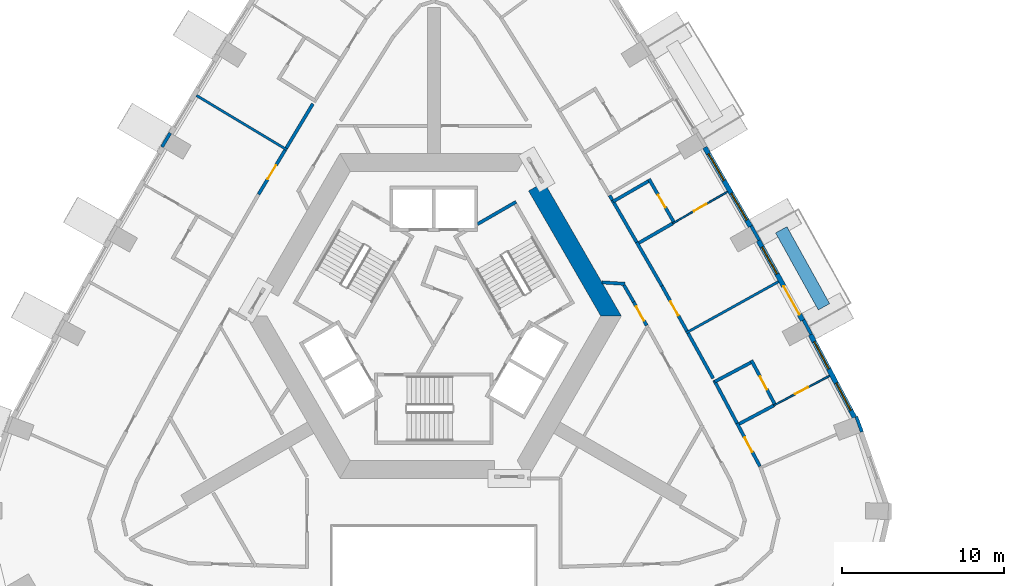
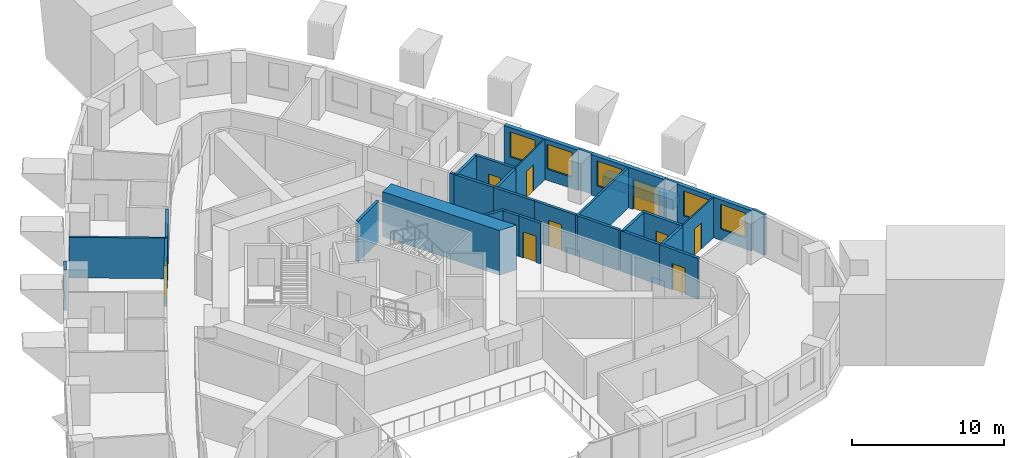
# One storey, part 7 of 12: 32 walls, 9 doors, 5 windows, 14 openings.
"""IFC4 building model written with IfcOpenShell, lengths in metres."""

from ifc_helpers import new_model, si_unit, direction, frame, frame_2d, origin, place, context, subcontext, project, spatial, polyline, rectangle, outline, extrude, material, layer, layer_set, type_object, element, fill, save


model = new_model("IFC4")

# Units and contexts
model_context = context("Model", 3, precision=1e-05, world=origin(), true_north=direction((0.0, 1.0)))
body_context = subcontext(model_context, "Body", "Model", "MODEL_VIEW")
ifc_project = project(units=[si_unit("LENGTHUNIT", "METRE"), si_unit("AREAUNIT", "SQUARE_METRE"), si_unit("VOLUMEUNIT", "CUBIC_METRE"), si_unit("PLANEANGLEUNIT", "RADIAN"), si_unit("MASSUNIT", "GRAM", prefix="KILO")], contexts=[model_context])

# Site, building, storey
site_placement = place(None, origin())
site = spatial("IfcSite", under=ifc_project, at=site_placement, CompositionType="ELEMENT")
building_placement = place(site_placement, origin())
building = spatial("IfcBuilding", under=site, at=building_placement, Name="Entoto Arch Interchange Tower", CompositionType="ELEMENT")
storey_placement = place(building_placement, frame((0.0, 0.0, 273.800048828125)))
storey = spatial("IfcBuildingStorey", under=building, at=storey_placement, Name="L63", CompositionType="ELEMENT", Elevation=273.800048828125)

# Wall
ifc_material_1 = material(Name="Concrete C40/50", Category="concrete")
ifc_layer_1 = layer(ifc_material_1, 1.10009765625)
ifc_layer_set_1 = layer_set([ifc_layer_1], Name="Concrete C40/50")
wall_type_1 = type_object("IfcWallType", Name="Core wall 1100 C40/50", PredefinedType="SHEAR", material=ifc_layer_set_1)
wall_1_placement = place(storey_placement, frame((0.0, 0.0, -0.340087890625)))
element("IfcWall", 1, at=wall_1_placement, inside=storey, type_object=wall_type_1, Name="Core wall NE L63", PredefinedType="SHEAR", context=body_context, shape_type="SweptSolid", body=[
    extrude(outline(polyline([(6.785888671875, 10.7470703125), (5.8330078125, 10.197021484375), (10.277099609375, 2.5), (11.547119140625, 2.5), (6.785888671875, 10.7470703125)])), origin(), (0.0, 0.0, 1.0), 3.60009765625),
])

# Wall, opening, door
ifc_material_2 = material(Name="Gypsum board partition on steel studs", Category="steel")
ifc_layer_2 = layer(ifc_material_2, 0.10009765625)
ifc_layer_set_2 = layer_set([ifc_layer_2], Name="Gypsum board partition on steel studs")
wall_type_2 = type_object("IfcWallType", Name="PARTITION 100", PredefinedType="PARTITIONING", material=ifc_layer_set_2)
wall_2_placement = place(storey_placement, frame((20.919921875, -3.014892578125, 0.0), z_axis=(0.0, 0.0, 1.0), x_axis=(0.882939758336, 0.469486297083, 0.0)))
wall_2 = element("IfcWall", 2, at=wall_2_placement, inside=storey, type_object=wall_type_2, Name="wall:L63:p096", PredefinedType="PARTITIONING", context=body_context, shape_type="SweptSolid", body=[
    extrude(rectangle(XDim=3.899658203125, YDim=0.10009765625, at=frame_2d((1.94970703125, 0.0))), origin(), (0.0, 0.0, 1.0), 3.260009765625),
])
opening_1_placement = place(wall_2_placement, frame((1.5, 0.0, 0.0)))
opening_1 = element("IfcOpeningElement", 3, at=opening_1_placement, cuts=wall_2, Name="Opening L63-D02", PredefinedType="OPENING", context=body_context, shape_type="SweptSolid", body=[
    extrude(rectangle(XDim=0.89990234375, YDim=2.10009765625, at=frame_2d((0.449951171875, 1.050048828125))), frame((0.0, 0.06005859375, 0.0), z_axis=(0.0, -1.0, 0.0), x_axis=(1.0, 0.0, 0.0)), (0.0, 0.0, 1.0), 0.1201171875),
])
ifc_material_3 = material(Name="Timber door leaf in Steel S235 frame", Category="steel")
door_type_1 = type_object("IfcDoorType", Name="DOOR DS-09 900x2100", OperationType="SINGLE_SWING_LEFT", PredefinedType="DOOR", material=ifc_material_3)
door_1_placement = place(opening_1_placement, origin())
door_1 = element("IfcDoor", 4, at=door_1_placement, inside=storey, type_object=door_type_1, Name="door:L63:02", OperationType="SINGLE_SWING_LEFT", OverallHeight=2.10009765625, OverallWidth=0.89990234375, PredefinedType="DOOR", context=body_context, shape_type="SweptSolid", body=[
    extrude(rectangle(XDim=0.89990234375, YDim=2.10009765625, at=frame_2d((0.449951171875, 1.050048828125))), frame((0.0, 0.02490234375, 0.0), z_axis=(0.0, -1.0, 0.0), x_axis=(1.0, 0.0, 0.0)), (0.0, 0.0, 1.0), 0.050048828125),
])
fill(opening_1, door_1)

wall_3_placement = place(storey_placement, frame((14.70703125, 8.197998046875, 0.0), z_axis=(0.0, 0.0, 1.0), x_axis=(0.865995823051, 0.500051231833, 0.0)))
wall_3 = element("IfcWall", 5, at=wall_3_placement, inside=storey, type_object=wall_type_2, Name="wall:L63:p101", PredefinedType="PARTITIONING", context=body_context, shape_type="SweptSolid", body=[
    extrude(rectangle(XDim=3.8994140625, YDim=0.10009765625, at=frame_2d((1.94970703125, 0.0))), origin(), (0.0, 0.0, 1.0), 3.260009765625),
])
opening_2_placement = place(wall_3_placement, frame((1.5, 0.0, 0.0)))
opening_2 = element("IfcOpeningElement", 6, at=opening_2_placement, cuts=wall_3, Name="Opening L63-D05", PredefinedType="OPENING", context=body_context, shape_type="SweptSolid", body=[
    extrude(rectangle(XDim=0.89990234375, YDim=2.10009765625, at=frame_2d((0.449951171875, 1.050048828125))), frame((0.0, 0.06005859375, 0.0), z_axis=(0.0, -1.0, 0.0), x_axis=(1.0, 0.0, 0.0)), (0.0, 0.0, 1.0), 0.1201171875),
])
door_2_placement = place(opening_2_placement, origin())
door_2 = element("IfcDoor", 7, at=door_2_placement, inside=storey, type_object=door_type_1, Name="door:L63:05", OperationType="SINGLE_SWING_LEFT", OverallHeight=2.10009765625, OverallWidth=0.89990234375, PredefinedType="DOOR", context=body_context, shape_type="SweptSolid", body=[
    extrude(rectangle(XDim=0.89990234375, YDim=2.10009765625, at=frame_2d((0.449951171875, 1.050048828125))), frame((0.0, 0.02490234375, 0.0), z_axis=(0.0, -1.0, 0.0), x_axis=(1.0, 0.0, 0.0)), (0.0, 0.0, 1.0), 0.050048828125),
])
fill(opening_2, door_2)

# Walls
ifc_layer_3 = layer(ifc_material_2, 0.14990234375)
ifc_layer_set_3 = layer_set([ifc_layer_3], Name="Gypsum board partition on steel studs")
wall_type_3 = type_object("IfcWallType", Name="PARTITION 150", PredefinedType="PARTITIONING", material=ifc_layer_set_3)
wall_4_placement = place(storey_placement, frame((15.531982421875, 1.45703125, 0.0), z_axis=(0.0, 0.0, 1.0), x_axis=(0.874467143452, 0.485084750351, 0.0)))
element("IfcWall", 8, at=wall_4_placement, inside=storey, type_object=wall_type_3, Name="wall:L63:p100", PredefinedType="PARTITIONING", context=body_context, shape_type="SweptSolid", body=[
    extrude(rectangle(XDim=6.5, YDim=0.14990234375, at=frame_2d((3.25, 0.0))), origin(), (0.0, 0.0, 1.0), 3.260009765625),
])
wall_5_placement = place(storey_placement, frame((-9.028076171875, 12.721923828125, 0.0), z_axis=(0.0, 0.0, 1.0), x_axis=(-0.857330501016, 0.514766366449, 0.0)))
element("IfcWall", 9, at=wall_5_placement, inside=storey, type_object=wall_type_3, Name="wall:L63:p116", PredefinedType="PARTITIONING", context=body_context, shape_type="SweptSolid", body=[
    extrude(rectangle(XDim=6.50048828125, YDim=0.14990234375, at=frame_2d((3.250244140625, 0.0))), origin(), (0.0, 0.0, 1.0), 3.260009765625),
])

# Wall, opening, door
ifc_layer_4 = layer(ifc_material_2, 0.199951171875)
ifc_layer_set_4 = layer_set([ifc_layer_4], Name="Gypsum board partition on steel studs")
wall_type_4 = type_object("IfcWallType", Name="PARTITION 200", PredefinedType="PARTITIONING", material=ifc_layer_set_4)
wall_6_placement = place(storey_placement, frame((13.10205078125, 1.9208984375, 0.0), z_axis=(0.0, 0.0, 1.0), x_axis=(-0.485065409582, 0.874477871891, 0.0)))
wall_6 = element("IfcWall", 10, at=wall_6_placement, inside=storey, type_object=wall_type_4, Name="wall:L63:p009", PredefinedType="PARTITIONING", context=body_context, shape_type="SweptSolid", body=[
    extrude(rectangle(XDim=1.6513671875, YDim=0.199951171875, at=frame_2d((0.82568359375, 0.0))), origin(), (0.0, 0.0, 1.0), 3.260009765625),
])
opening_3_placement = place(wall_6_placement, frame((0.324951171875, 0.0, 0.0)))
opening_3 = element("IfcOpeningElement", 11, at=opening_3_placement, cuts=wall_6, Name="Opening L63-D32", PredefinedType="OPENING", context=body_context, shape_type="SweptSolid", body=[
    extrude(rectangle(XDim=1.0, YDim=2.10009765625, at=frame_2d((0.5, 1.050048828125))), frame((0.0, 0.10986328125, 0.0), z_axis=(0.0, -1.0, 0.0), x_axis=(1.0, 0.0, 0.0)), (0.0, 0.0, 1.0), 0.219970703125),
])
door_type_2 = type_object("IfcDoorType", Name="DOOR DS-10 1000x2100", OperationType="SINGLE_SWING_LEFT", PredefinedType="DOOR", material=ifc_material_3)
door_3_placement = place(opening_3_placement, origin())
door_3 = element("IfcDoor", 12, at=door_3_placement, inside=storey, type_object=door_type_2, Name="door:L63:32", OperationType="SINGLE_SWING_RIGHT", OverallHeight=2.10009765625, OverallWidth=1.0, PredefinedType="DOOR", context=body_context, shape_type="SweptSolid", body=[
    extrude(rectangle(XDim=1.0, YDim=2.10009765625, at=frame_2d((0.5, 1.050048828125))), frame((0.0, 0.02490234375, 0.0), z_axis=(0.0, -1.0, 0.0), x_axis=(1.0, 0.0, 0.0)), (0.0, 0.0, 1.0), 0.050048828125),
])
fill(opening_3, door_3)

# Walls
wall_7_placement = place(storey_placement, frame((12.301025390625, 3.364990234375, 0.0), z_axis=(0.0, 0.0, 1.0), x_axis=(-0.499823064078, 0.86612753369, 0.0)))
element("IfcWall", 13, at=wall_7_placement, inside=storey, type_object=wall_type_4, Name="wall:L63:p010", PredefinedType="PARTITIONING", context=body_context, shape_type="SweptSolid", body=[
    extrude(rectangle(XDim=1.1904296875, YDim=0.199951171875, at=frame_2d((0.59521484375, 0.0))), origin(), (0.0, 0.0, 1.0), 3.260009765625),
])
wall_8_placement = place(storey_placement, frame((11.756103515625, 4.47607421875, 0.0), z_axis=(0.0, 0.0, 1.0), x_axis=(-0.99772020739, 0.067486204256, 0.0)))
element("IfcWall", 14, at=wall_8_placement, inside=storey, type_object=wall_type_4, Name="wall:L63:p011", PredefinedType="PARTITIONING", context=body_context, shape_type="SweptSolid", body=[
    extrude(rectangle(XDim=1.4072265625, YDim=0.199951171875, at=frame_2d((0.70361328125, 0.0))), origin(), (0.0, 0.0, 1.0), 3.260009765625),
])

# Wall, opening, door
wall_9_placement = place(storey_placement, frame((18.666015625, -4.10107421875, 0.0), z_axis=(0.0, 0.0, 1.0), x_axis=(0.469341661158, -0.883016650523, 0.0)))
wall_9 = element("IfcWall", 15, at=wall_9_placement, inside=storey, type_object=wall_type_4, Name="wall:L63:p042", PredefinedType="PARTITIONING", context=body_context, shape_type="SweptSolid", body=[
    extrude(rectangle(XDim=2.999755859375, YDim=0.199951171875, at=frame_2d((1.5, 0.0))), origin(), (0.0, 0.0, 1.0), 3.260009765625),
])
opening_4_placement = place(wall_9_placement, frame((1.0, 0.0, 0.0)))
opening_4 = element("IfcOpeningElement", 16, at=opening_4_placement, cuts=wall_9, Name="Opening L63-D01", PredefinedType="OPENING", context=body_context, shape_type="SweptSolid", body=[
    extrude(rectangle(XDim=1.0, YDim=2.10009765625, at=frame_2d((0.5, 1.050048828125))), frame((0.0, 0.10986328125, 0.0), z_axis=(0.0, -1.0, 0.0), x_axis=(1.0, 0.0, 0.0)), (0.0, 0.0, 1.0), 0.219970703125),
])
ifc_material_4 = material(Name="Fire-rated Steel S235 door and frame", Category="steel")
door_type_3 = type_object("IfcDoorType", Name="DOOR FD-10 1000x2100", OperationType="SINGLE_SWING_LEFT", PredefinedType="DOOR", material=ifc_material_4)
door_4_placement = place(opening_4_placement, origin())
door_4 = element("IfcDoor", 17, at=door_4_placement, inside=storey, type_object=door_type_3, Name="door:L63:01", OperationType="SINGLE_SWING_LEFT", OverallHeight=2.10009765625, OverallWidth=1.0, PredefinedType="DOOR", context=body_context, shape_type="SweptSolid", body=[
    extrude(rectangle(XDim=1.0, YDim=2.10009765625, at=frame_2d((0.5, 1.050048828125))), frame((0.0, 0.02490234375, 0.0), z_axis=(0.0, -1.0, 0.0), x_axis=(1.0, 0.0, 0.0)), (0.0, 0.0, 1.0), 0.050048828125),
])
fill(opening_4, door_4)

# Walls
wall_10_placement = place(storey_placement, frame((15.655029296875, 1.43994140625, 0.0), z_axis=(0.0, 0.0, 1.0), x_axis=(0.485107756493, -0.87445438108, 0.0)))
element("IfcWall", 18, at=wall_10_placement, inside=storey, type_object=wall_type_4, Name="wall:L63:p043", PredefinedType="PARTITIONING", context=body_context, shape_type="SweptSolid", body=[
    extrude(rectangle(XDim=3.1767578125, YDim=0.199951171875, at=frame_2d((1.58837890625, 0.0))), origin(), (0.0, 0.0, 1.0), 3.260009765625),
])
wall_11_placement = place(storey_placement, frame((17.257080078125, -1.451904296875, 0.0), z_axis=(0.0, 0.0, 1.0), x_axis=(0.469561695117, -0.882899662747, 0.0)))
element("IfcWall", 19, at=wall_11_placement, inside=storey, type_object=wall_type_4, Name="wall:L63:p044", PredefinedType="PARTITIONING", context=body_context, shape_type="SweptSolid", body=[
    extrude(rectangle(XDim=3.00048828125, YDim=0.199951171875, at=frame_2d((1.500244140625, 0.0))), origin(), (0.0, 0.0, 1.0), 3.260009765625),
])
wall_12_placement = place(storey_placement, frame((12.491943359375, 7.034912109375, 0.0), z_axis=(0.0, 0.0, 1.0), x_axis=(0.49999285859, -0.86602952684, 0.0)))
element("IfcWall", 20, at=wall_12_placement, inside=storey, type_object=wall_type_4, Name="wall:L63:p045", PredefinedType="PARTITIONING", context=body_context, shape_type="SweptSolid", body=[
    extrude(rectangle(XDim=3.10009765625, YDim=0.199951171875, at=frame_2d((1.550048828125, 0.0))), origin(), (0.0, 0.0, 1.0), 3.260009765625),
])

# Wall, opening, door
wall_13_placement = place(storey_placement, frame((14.0419921875, 4.35009765625, 0.0), z_axis=(0.0, 0.0, 1.0), x_axis=(0.484944791944, -0.874544766588, 0.0)))
wall_13 = element("IfcWall", 21, at=wall_13_placement, inside=storey, type_object=wall_type_4, Name="wall:L63:p046", PredefinedType="PARTITIONING", context=body_context, shape_type="SweptSolid", body=[
    extrude(rectangle(XDim=3.177734375, YDim=0.199951171875, at=frame_2d((1.5888671875, 0.0))), origin(), (0.0, 0.0, 1.0), 3.260009765625),
])
opening_5_placement = place(wall_13_placement, frame((1.089111328125, 0.0, 0.0)))
opening_5 = element("IfcOpeningElement", 22, at=opening_5_placement, cuts=wall_13, Name="Opening L63-D04", PredefinedType="OPENING", context=body_context, shape_type="SweptSolid", body=[
    extrude(rectangle(XDim=1.0, YDim=2.10009765625, at=frame_2d((0.5, 1.050048828125))), frame((0.0, 0.10986328125, 0.0), z_axis=(0.0, -1.0, 0.0), x_axis=(1.0, 0.0, 0.0)), (0.0, 0.0, 1.0), 0.219970703125),
])
door_5_placement = place(opening_5_placement, origin())
door_5 = element("IfcDoor", 23, at=door_5_placement, inside=storey, type_object=door_type_3, Name="door:L63:04", OperationType="SINGLE_SWING_LEFT", OverallHeight=2.10009765625, OverallWidth=1.0, PredefinedType="DOOR", context=body_context, shape_type="SweptSolid", body=[
    extrude(rectangle(XDim=1.0, YDim=2.10009765625, at=frame_2d((0.5, 1.050048828125))), frame((0.0, 0.02490234375, 0.0), z_axis=(0.0, -1.0, 0.0), x_axis=(1.0, 0.0, 0.0)), (0.0, 0.0, 1.0), 0.050048828125),
])
fill(opening_5, door_5)

# Walls
wall_14_placement = place(storey_placement, frame((10.825927734375, 9.919921875, 0.0), z_axis=(0.0, 0.0, 1.0), x_axis=(0.5008910821, -0.865510325688, 0.0)))
element("IfcWall", 24, at=wall_14_placement, inside=storey, type_object=wall_type_4, Name="wall:L63:p047", PredefinedType="PARTITIONING", context=body_context, shape_type="SweptSolid", body=[
    extrude(rectangle(XDim=0.33154296875, YDim=0.199951171875, at=frame_2d((0.165771484375, 0.0))), origin(), (0.0, 0.0, 1.0), 3.260009765625),
])
wall_15_placement = place(storey_placement, frame((10.991943359375, 9.633056640625, 0.0), z_axis=(0.0, 0.0, 1.0), x_axis=(0.499990139034, -0.866031096941, 0.0)))
element("IfcWall", 25, at=wall_15_placement, inside=storey, type_object=wall_type_4, Name="wall:L63:p048", PredefinedType="PARTITIONING", context=body_context, shape_type="SweptSolid", body=[
    extrude(rectangle(XDim=3.0, YDim=0.199951171875, at=frame_2d((1.5, 0.0))), origin(), (0.0, 0.0, 1.0), 3.260009765625),
])
wall_16_placement = place(storey_placement, frame((-9.074951171875, 12.8369140625, 0.0), z_axis=(0.0, 0.0, 1.0), x_axis=(0.514620055475, 0.857418333431, 0.0)))
element("IfcWall", 26, at=wall_16_placement, inside=storey, type_object=wall_type_4, Name="wall:L63:p058", PredefinedType="PARTITIONING", context=body_context, shape_type="SweptSolid", body=[
    extrude(rectangle(XDim=3.177001953125, YDim=0.199951171875, at=frame_2d((1.58837890625, 0.0))), origin(), (0.0, 0.0, 1.0), 3.260009765625),
])

# Wall, opening, door
wall_17_placement = place(storey_placement, frame((-10.7890625, 9.985107421875, 0.0), z_axis=(0.0, 0.0, 1.0), x_axis=(0.51487988517, 0.857262330823, 0.0)))
wall_17 = element("IfcWall", 27, at=wall_17_placement, inside=storey, type_object=wall_type_4, Name="wall:L63:p061", PredefinedType="PARTITIONING", context=body_context, shape_type="SweptSolid", body=[
    extrude(rectangle(XDim=3.177490234375, YDim=0.199951171875, at=frame_2d((1.5888671875, 0.0))), origin(), (0.0, 0.0, 1.0), 3.260009765625),
])
opening_6_placement = place(wall_17_placement, frame((1.089111328125, 0.0, 0.0)))
opening_6 = element("IfcOpeningElement", 28, at=opening_6_placement, cuts=wall_17, Name="Opening L63-D13", PredefinedType="OPENING", context=body_context, shape_type="SweptSolid", body=[
    extrude(rectangle(XDim=1.0, YDim=2.10009765625, at=frame_2d((0.5, 1.050048828125))), frame((0.0, 0.10986328125, 0.0), z_axis=(0.0, -1.0, 0.0), x_axis=(1.0, 0.0, 0.0)), (0.0, 0.0, 1.0), 0.219970703125),
])
door_6_placement = place(opening_6_placement, origin())
door_6 = element("IfcDoor", 29, at=door_6_placement, inside=storey, type_object=door_type_3, Name="door:L63:13", OperationType="SINGLE_SWING_RIGHT", OverallHeight=2.10009765625, OverallWidth=1.0, PredefinedType="DOOR", context=body_context, shape_type="SweptSolid", body=[
    extrude(rectangle(XDim=1.0, YDim=2.10009765625, at=frame_2d((0.5, 1.050048828125))), frame((0.0, 0.02490234375, 0.0), z_axis=(0.0, -1.0, 0.0), x_axis=(1.0, 0.0, 0.0)), (0.0, 0.0, 1.0), 0.050048828125),
])
fill(opening_6, door_6)

# Wall
wall_18_placement = place(storey_placement, frame((18.801025390625, -4.14208984375, 0.0), z_axis=(0.0, 0.0, 1.0), x_axis=(0.882850852072, 0.469653460539, 0.0)))
element("IfcWall", 30, at=wall_18_placement, inside=storey, type_object=wall_type_4, Name="wall:L63:p097", PredefinedType="PARTITIONING", context=body_context, shape_type="SweptSolid", body=[
    extrude(rectangle(XDim=2.400146484375, YDim=0.199951171875, at=frame_2d((1.2001953125, 0.0))), origin(), (0.0, 0.0, 1.0), 3.260009765625),
])

# Wall, opening, door
wall_19_placement = place(storey_placement, frame((21.031982421875, -3.011962890625, 0.0), z_axis=(0.0, 0.0, 1.0), x_axis=(-0.469791613002, 0.882777344721, 0.0)))
wall_19 = element("IfcWall", 31, at=wall_19_placement, inside=storey, type_object=wall_type_4, Name="wall:L63:p098", PredefinedType="PARTITIONING", context=body_context, shape_type="SweptSolid", body=[
    extrude(rectangle(XDim=3.150390625, YDim=0.199951171875, at=frame_2d((1.5751953125, 0.0))), origin(), (0.0, 0.0, 1.0), 3.260009765625),
])
opening_7_placement = place(wall_19_placement, frame((1.125, 0.0, 0.0)))
opening_7 = element("IfcOpeningElement", 32, at=opening_7_placement, cuts=wall_19, Name="Opening L63-D03", PredefinedType="OPENING", context=body_context, shape_type="SweptSolid", body=[
    extrude(rectangle(XDim=0.89990234375, YDim=2.10009765625, at=frame_2d((0.449951171875, 1.050048828125))), frame((0.0, 0.10986328125, 0.0), z_axis=(0.0, -1.0, 0.0), x_axis=(1.0, 0.0, 0.0)), (0.0, 0.0, 1.0), 0.219970703125),
])
door_7_placement = place(opening_7_placement, origin())
door_7 = element("IfcDoor", 33, at=door_7_placement, inside=storey, type_object=door_type_1, Name="door:L63:03", OperationType="SINGLE_SWING_LEFT", OverallHeight=2.10009765625, OverallWidth=0.89990234375, PredefinedType="DOOR", context=body_context, shape_type="SweptSolid", body=[
    extrude(rectangle(XDim=0.89990234375, YDim=2.10009765625, at=frame_2d((0.449951171875, 1.050048828125))), frame((0.0, 0.02490234375, 0.0), z_axis=(0.0, -1.0, 0.0), x_axis=(1.0, 0.0, 0.0)), (0.0, 0.0, 1.0), 0.050048828125),
])
fill(opening_7, door_7)

# Walls
wall_20_placement = place(storey_placement, frame((19.510986328125, -0.366943359375, 0.0), z_axis=(0.0, 0.0, 1.0), x_axis=(-0.883014523832, -0.46934566228, 0.0)))
element("IfcWall", 34, at=wall_20_placement, inside=storey, type_object=wall_type_4, Name="wall:L63:p099", PredefinedType="PARTITIONING", context=body_context, shape_type="SweptSolid", body=[
    extrude(rectangle(XDim=2.49951171875, YDim=0.199951171875, at=frame_2d((1.249755859375, 0.0))), origin(), (0.0, 0.0, 1.0), 3.260009765625),
])
wall_21_placement = place(storey_placement, frame((12.6279296875, 6.998046875, 0.0), z_axis=(0.0, 0.0, 1.0), x_axis=(0.866100915363, 0.499869187296, 0.0)))
element("IfcWall", 35, at=wall_21_placement, inside=storey, type_object=wall_type_4, Name="wall:L63:p102", PredefinedType="PARTITIONING", context=body_context, shape_type="SweptSolid", body=[
    extrude(rectangle(XDim=2.400634765625, YDim=0.199951171875, at=frame_2d((1.2001953125, 0.0))), origin(), (0.0, 0.0, 1.0), 3.260009765625),
])

# Wall, opening, door
wall_22_placement = place(storey_placement, frame((14.818115234375, 8.205078125, 0.0), z_axis=(0.0, 0.0, 1.0), x_axis=(-0.499807449307, 0.866136544441, 0.0)))
wall_22 = element("IfcWall", 36, at=wall_22_placement, inside=storey, type_object=wall_type_4, Name="wall:L63:p103", PredefinedType="PARTITIONING", context=body_context, shape_type="SweptSolid", body=[
    extrude(rectangle(XDim=3.149658203125, YDim=0.199951171875, at=frame_2d((1.57470703125, 0.0))), origin(), (0.0, 0.0, 1.0), 3.260009765625),
])
opening_8_placement = place(wall_22_placement, frame((1.125, 0.0, 0.0)))
opening_8 = element("IfcOpeningElement", 37, at=opening_8_placement, cuts=wall_22, Name="Opening L63-D06", PredefinedType="OPENING", context=body_context, shape_type="SweptSolid", body=[
    extrude(rectangle(XDim=0.89990234375, YDim=2.10009765625, at=frame_2d((0.449951171875, 1.050048828125))), frame((0.0, 0.10986328125, 0.0), z_axis=(0.0, -1.0, 0.0), x_axis=(1.0, 0.0, 0.0)), (0.0, 0.0, 1.0), 0.219970703125),
])
door_8_placement = place(opening_8_placement, origin())
door_8 = element("IfcDoor", 38, at=door_8_placement, inside=storey, type_object=door_type_1, Name="door:L63:06", OperationType="SINGLE_SWING_RIGHT", OverallHeight=2.10009765625, OverallWidth=0.89990234375, PredefinedType="DOOR", context=body_context, shape_type="SweptSolid", body=[
    extrude(rectangle(XDim=0.89990234375, YDim=2.10009765625, at=frame_2d((0.449951171875, 1.050048828125))), frame((0.0, 0.02490234375, 0.0), z_axis=(0.0, -1.0, 0.0), x_axis=(1.0, 0.0, 0.0)), (0.0, 0.0, 1.0), 0.050048828125),
])
fill(opening_8, door_8)

# Walls
wall_23_placement = place(storey_placement, frame((13.20703125, 10.7958984375, 0.0), z_axis=(0.0, 0.0, 1.0), x_axis=(-0.866022959057, -0.500004234368, 0.0)))
element("IfcWall", 39, at=wall_23_placement, inside=storey, type_object=wall_type_4, Name="wall:L63:p104", PredefinedType="PARTITIONING", context=body_context, shape_type="SweptSolid", body=[
    extrude(rectangle(XDim=2.5, YDim=0.199951171875, at=frame_2d((1.25, 0.0))), origin(), (0.0, 0.0, 1.0), 3.260009765625),
])
ifc_material_5 = material(Name="Board-marked precast concrete C50/60", Category="concrete")
ifc_layer_5 = layer(ifc_material_5, 0.800048828125)
ifc_layer_set_5 = layer_set([ifc_layer_5], Name="Board-marked precast concrete C50/60")
wall_type_5 = type_object("IfcWallType", Name="PLANTER RC 800 Hagenia abyssinica", PredefinedType="STANDARD", material=ifc_layer_set_5)
wall_24_placement = place(storey_placement, frame((24.01708984375, 3.06396484375, 0.0), z_axis=(0.0, 0.0, 1.0), x_axis=(-0.485053879715, 0.87448426731, 0.0)))
element("IfcWall", 40, at=wall_24_placement, inside=storey, type_object=wall_type_5, Name="Planter NE-02 L63", PredefinedType="STANDARD", context=body_context, shape_type="SweptSolid", body=[
    extrude(rectangle(XDim=5.42041015625, YDim=0.800048828125, at=frame_2d((2.710205078125, 0.0))), origin(), (0.0, 0.0, 1.0), 0.800048828125),
])
ifc_layer_6 = layer(ifc_material_1, 0.199951171875)
ifc_layer_set_6 = layer_set([ifc_layer_6], Name="Concrete C40/50")
wall_type_6 = type_object("IfcWallType", Name="STAIR ENCLOSURE WALL 200", PredefinedType="STANDARD", material=ifc_layer_set_6)
wall_25_placement = place(storey_placement, frame((2.699951171875, 8.157958984375, 0.0), z_axis=(0.0, 0.0, 1.0), x_axis=(0.86611865017, 0.499838457731, 0.0)))
element("IfcWall", 41, at=wall_25_placement, inside=storey, type_object=wall_type_6, Name="Stair wall ST-NE far", PredefinedType="STANDARD", context=body_context, shape_type="SweptSolid", body=[
    extrude(rectangle(XDim=2.73291015625, YDim=0.199951171875, at=frame_2d((1.366455078125, 0.0))), origin(), (0.0, 0.0, 1.0), 3.260009765625),
])

# Wall, openings, windows
ifc_material_6 = material(Name="Welded tuff (ignimbrite) cladding, warm buff", Category="masonry")
ifc_layer_7 = layer(ifc_material_6, 0.300048828125)
ifc_layer_set_7 = layer_set([ifc_layer_7], Name="Welded tuff (ignimbrite) cladding, warm buff")
wall_type_7 = type_object("IfcWallType", Name="STONE INFILL WALL 300", PredefinedType="STANDARD", material=ifc_layer_set_7)
wall_26_placement = place(storey_placement, frame((25.89501953125, -3.743896484375, 0.0), z_axis=(0.0, 0.0, 1.0), x_axis=(-0.469691596427, 0.882830563724, 0.0)))
wall_26 = element("IfcWall", 42, at=wall_26_placement, inside=storey, type_object=wall_type_7, Name="Facade wall NE-01 L63", PredefinedType="STANDARD", context=body_context, shape_type="SweptSolid", body=[
    extrude(rectangle(XDim=5.767578125, YDim=0.300048828125, at=frame_2d((2.8837890625, 0.0))), origin(), (0.0, 0.0, 1.0), 3.260009765625),
])
opening_9_placement = place(wall_26_placement, frame((0.491943359375, 0.0, 0.89990234375)))
opening_9 = element("IfcOpeningElement", 43, at=opening_9_placement, cuts=wall_26, Name="Opening WH-C", PredefinedType="OPENING", context=body_context, shape_type="SweptSolid", body=[
    extrude(rectangle(XDim=1.89990234375, YDim=2.0, at=frame_2d((0.949951171875, 1.0))), frame((0.0, 0.16015625, 0.0), z_axis=(0.0, -1.0, 0.0), x_axis=(1.0, 0.0, 0.0)), (0.0, 0.0, 1.0), 0.320068359375),
])
opening_10_placement = place(wall_26_placement, frame((3.3759765625, 0.0, 0.89990234375)))
opening_10 = element("IfcOpeningElement", 44, at=opening_10_placement, cuts=wall_26, Name="Opening WH-C", PredefinedType="OPENING", context=body_context, shape_type="SweptSolid", body=[
    extrude(rectangle(XDim=1.89990234375, YDim=2.0, at=frame_2d((0.949951171875, 1.0))), frame((0.0, 0.16015625, 0.0), z_axis=(0.0, -1.0, 0.0), x_axis=(1.0, 0.0, 0.0)), (0.0, 0.0, 1.0), 0.320068359375),
])
ifc_material_7 = material(Name="Clear glass, low-e double glazed", Category="glass")
window_type = type_object("IfcWindowType", Name="WINDOW WH-C 1900x2000", PartitioningType="DOUBLE_PANEL_VERTICAL", PredefinedType="WINDOW", material=ifc_material_7)
window_1_placement = place(opening_9_placement, origin())
window_1 = element("IfcWindow", 45, at=window_1_placement, inside=storey, type_object=window_type, Name="Window WH-C NE-01 L63", OverallHeight=2.0, OverallWidth=1.89990234375, PartitioningType="SINGLE_PANEL", PredefinedType="WINDOW", context=body_context, shape_type="SweptSolid", body=[
    extrude(rectangle(XDim=1.89990234375, YDim=2.0, at=frame_2d((0.949951171875, 1.0))), frame((0.0, 0.030029296875, 0.0), z_axis=(0.0, -1.0, 0.0), x_axis=(1.0, 0.0, 0.0)), (0.0, 0.0, 1.0), 0.06005859375),
])
fill(opening_9, window_1)
window_2_placement = place(opening_10_placement, origin())
window_2 = element("IfcWindow", 46, at=window_2_placement, inside=storey, type_object=window_type, Name="Window WH-C NE-01 L63", OverallHeight=2.0, OverallWidth=1.89990234375, PartitioningType="SINGLE_PANEL", PredefinedType="WINDOW", context=body_context, shape_type="SweptSolid", body=[
    extrude(rectangle(XDim=1.89990234375, YDim=2.0, at=frame_2d((0.949951171875, 1.0))), frame((0.0, 0.030029296875, 0.0), z_axis=(0.0, -1.0, 0.0), x_axis=(1.0, 0.0, 0.0)), (0.0, 0.0, 1.0), 0.06005859375),
])
fill(opening_10, window_2)

# Wall, openings, door, window
wall_27_placement = place(storey_placement, frame((22.7099609375, 2.22509765625, 0.0), z_axis=(0.0, 0.0, 1.0), x_axis=(-0.485049005017, 0.874486971162, 0.0)))
wall_27 = element("IfcWall", 47, at=wall_27_placement, inside=storey, type_object=wall_type_7, Name="Facade wall NE-02 L63", PredefinedType="STANDARD", context=body_context, shape_type="SweptSolid", body=[
    extrude(rectangle(XDim=5.6201171875, YDim=0.300048828125, at=frame_2d((2.81005859375, 0.0))), origin(), (0.0, 0.0, 1.0), 3.260009765625),
])
opening_11_placement = place(wall_27_placement, frame((0.405029296875, 0.0, 0.0)))
opening_11 = element("IfcOpeningElement", 48, at=opening_11_placement, cuts=wall_27, Name="Opening DB-NE-02-L63", PredefinedType="OPENING", context=body_context, shape_type="SweptSolid", body=[
    extrude(rectangle(XDim=2.0, YDim=2.39990234375, at=frame_2d((1.0, 1.199951171875))), frame((0.0, 0.16015625, 0.0), z_axis=(0.0, -1.0, 0.0), x_axis=(1.0, 0.0, 0.0)), (0.0, 0.0, 1.0), 0.320068359375),
])
opening_12_placement = place(wall_27_placement, frame((3.264892578125, 0.0, 0.89990234375)))
opening_12 = element("IfcOpeningElement", 49, at=opening_12_placement, cuts=wall_27, Name="Opening WH-C", PredefinedType="OPENING", context=body_context, shape_type="SweptSolid", body=[
    extrude(rectangle(XDim=1.89990234375, YDim=2.0, at=frame_2d((0.949951171875, 1.0))), frame((0.0, 0.16015625, 0.0), z_axis=(0.0, -1.0, 0.0), x_axis=(1.0, 0.0, 0.0)), (0.0, 0.0, 1.0), 0.320068359375),
])
ifc_material_8 = material(Name="Aluminium and clear glass, anodised", Category="aluminium")
door_type_4 = type_object("IfcDoorType", Name="BALCONY DOOR DB 2000x2400", OperationType="SLIDING_TO_LEFT", PredefinedType="DOOR", material=ifc_material_8)
door_9_placement = place(opening_11_placement, origin())
door_9 = element("IfcDoor", 50, at=door_9_placement, inside=storey, type_object=door_type_4, Name="Balcony door NE-02 L63", OperationType="SLIDING_TO_LEFT", OverallHeight=2.39990234375, OverallWidth=2.0, PredefinedType="DOOR", context=body_context, shape_type="SweptSolid", body=[
    extrude(rectangle(XDim=2.0, YDim=2.39990234375, at=frame_2d((1.0, 1.199951171875))), frame((0.0, 0.02490234375, 0.0), z_axis=(0.0, -1.0, 0.0), x_axis=(1.0, 0.0, 0.0)), (0.0, 0.0, 1.0), 0.050048828125),
])
fill(opening_11, door_9)
window_3_placement = place(opening_12_placement, origin())
window_3 = element("IfcWindow", 51, at=window_3_placement, inside=storey, type_object=window_type, Name="Window WH-C NE-02 L63", OverallHeight=2.0, OverallWidth=1.89990234375, PartitioningType="SINGLE_PANEL", PredefinedType="WINDOW", context=body_context, shape_type="SweptSolid", body=[
    extrude(rectangle(XDim=1.89990234375, YDim=2.0, at=frame_2d((0.949951171875, 1.0))), frame((0.0, 0.030029296875, 0.0), z_axis=(0.0, -1.0, 0.0), x_axis=(1.0, 0.0, 0.0)), (0.0, 0.0, 1.0), 0.06005859375),
])
fill(opening_12, window_3)

# Wall, openings, windows
wall_28_placement = place(storey_placement, frame((19.492919921875, 8.008056640625, 0.0), z_axis=(0.0, 0.0, 1.0), x_axis=(-0.49999685976, 0.866027216796, 0.0)))
wall_28 = element("IfcWall", 52, at=wall_28_placement, inside=storey, type_object=wall_type_7, Name="Facade wall NE-03 L63", PredefinedType="STANDARD", context=body_context, shape_type="SweptSolid", body=[
    extrude(rectangle(XDim=5.6220703125, YDim=0.300048828125, at=frame_2d((2.81103515625, 0.0))), origin(), (0.0, 0.0, 1.0), 3.260009765625),
])
opening_13_placement = place(wall_28_placement, frame((0.4560546875, 0.0, 0.89990234375)))
opening_13 = element("IfcOpeningElement", 53, at=opening_13_placement, cuts=wall_28, Name="Opening WH-C", PredefinedType="OPENING", context=body_context, shape_type="SweptSolid", body=[
    extrude(rectangle(XDim=1.89990234375, YDim=2.0, at=frame_2d((0.949951171875, 1.0))), frame((0.0, 0.16015625, 0.0), z_axis=(0.0, -1.0, 0.0), x_axis=(1.0, 0.0, 0.0)), (0.0, 0.0, 1.0), 0.320068359375),
])
opening_14_placement = place(wall_28_placement, frame((3.26708984375, 0.0, 0.89990234375)))
opening_14 = element("IfcOpeningElement", 54, at=opening_14_placement, cuts=wall_28, Name="Opening WH-C", PredefinedType="OPENING", context=body_context, shape_type="SweptSolid", body=[
    extrude(rectangle(XDim=1.89990234375, YDim=2.0, at=frame_2d((0.949951171875, 1.0))), frame((0.0, 0.16015625, 0.0), z_axis=(0.0, -1.0, 0.0), x_axis=(1.0, 0.0, 0.0)), (0.0, 0.0, 1.0), 0.320068359375),
])
window_4_placement = place(opening_13_placement, origin())
window_4 = element("IfcWindow", 55, at=window_4_placement, inside=storey, type_object=window_type, Name="Window WH-C NE-03 L63", OverallHeight=2.0, OverallWidth=1.89990234375, PartitioningType="SINGLE_PANEL", PredefinedType="WINDOW", context=body_context, shape_type="SweptSolid", body=[
    extrude(rectangle(XDim=1.89990234375, YDim=2.0, at=frame_2d((0.949951171875, 1.0))), frame((0.0, 0.030029296875, 0.0), z_axis=(0.0, -1.0, 0.0), x_axis=(1.0, 0.0, 0.0)), (0.0, 0.0, 1.0), 0.06005859375),
])
fill(opening_13, window_4)
window_5_placement = place(opening_14_placement, origin())
window_5 = element("IfcWindow", 56, at=window_5_placement, inside=storey, type_object=window_type, Name="Window WH-C NE-03 L63", OverallHeight=2.0, OverallWidth=1.89990234375, PartitioningType="SINGLE_PANEL", PredefinedType="WINDOW", context=body_context, shape_type="SweptSolid", body=[
    extrude(rectangle(XDim=1.89990234375, YDim=2.0, at=frame_2d((0.949951171875, 1.0))), frame((0.0, 0.030029296875, 0.0), z_axis=(0.0, -1.0, 0.0), x_axis=(1.0, 0.0, 0.0)), (0.0, 0.0, 1.0), 0.06005859375),
])
fill(opening_14, window_5)

# Walls
ifc_layer_8 = layer(ifc_material_6, 0.199951171875)
ifc_layer_set_8 = layer_set([ifc_layer_8], Name="Welded tuff (ignimbrite) cladding, warm buff")
wall_type_8 = type_object("IfcWallType", Name="STONE PIER CLADDING 200", PredefinedType="STANDARD", material=ifc_layer_set_8)
wall_29_placement = place(storey_placement, frame((26.35302734375, -4.639892578125, 0.0), z_axis=(0.0, 0.0, 1.0), x_axis=(-0.346892928577, 0.937904737222, 0.0)))
element("IfcWall", 57, at=wall_29_placement, inside=storey, type_object=wall_type_8, Name="Stone pier NE01 L63", PredefinedType="STANDARD", context=body_context, shape_type="SweptSolid", body=[
    extrude(rectangle(XDim=1.0, YDim=0.199951171875, at=frame_2d((0.5, 0.0))), origin(), (0.0, 0.0, 1.0), 3.260009765625),
])
for number, where, z_axis, x_axis, name in (
    (58, (23.23291015625, 1.3720703125, 0.0), (0.0, 0.0, 1.0), (-0.473765014438, 0.880651299377, 0.0), "Stone pier NE02 L63"),
    (59, (20.031982421875, 7.1650390625, 0.0), (0.0, 0.0, 1.0), (-0.491848119507, 0.870681013539, 0.0), "Stone pier NE03 L63"),
):
    element("IfcWall", number, at=place(storey_placement, frame(where, z_axis=z_axis, x_axis=x_axis)), inside=storey, type_object=wall_type_8, Name=name, PredefinedType="STANDARD", context=body_context, shape_type="SweptSolid", body=[
        extrude(rectangle(XDim=1.000244140625, YDim=0.199951171875, at=frame_2d((0.5, 0.0))), origin(), (0.0, 0.0, 1.0), 3.260009765625),
    ])
wall_30_placement = place(storey_placement, frame((-16.221923828125, 13.764892578125, 0.0), z_axis=(0.0, 0.0, 1.0), x_axis=(-0.508268432768, -0.861198699634, 0.0)))
element("IfcWall", 60, at=wall_30_placement, inside=storey, type_object=wall_type_8, Name="Stone pier NW03 L63", PredefinedType="STANDARD", context=body_context, shape_type="SweptSolid", body=[
    extrude(rectangle(XDim=0.99951171875, YDim=0.199951171875, at=frame_2d((0.499755859375, 0.0))), origin(), (0.0, 0.0, 1.0), 3.260009765625),
])

save(model, "model.ifc")
